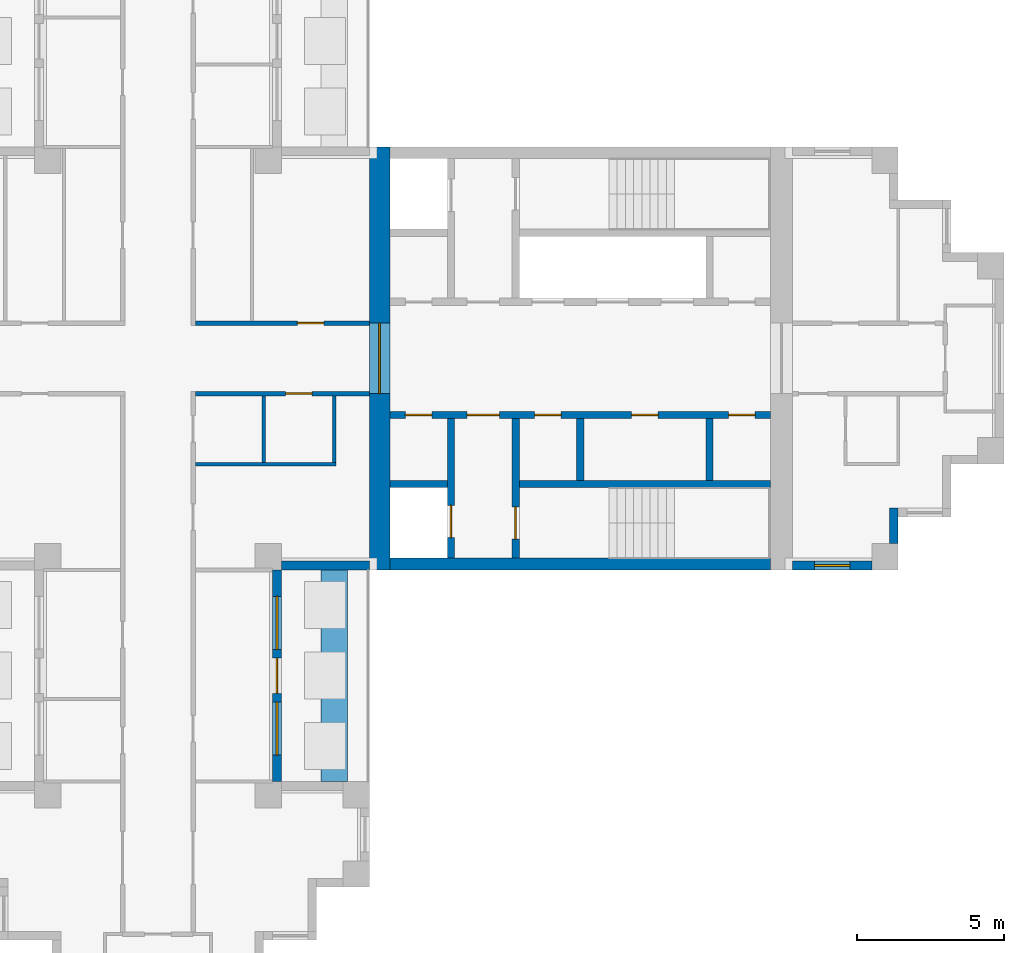
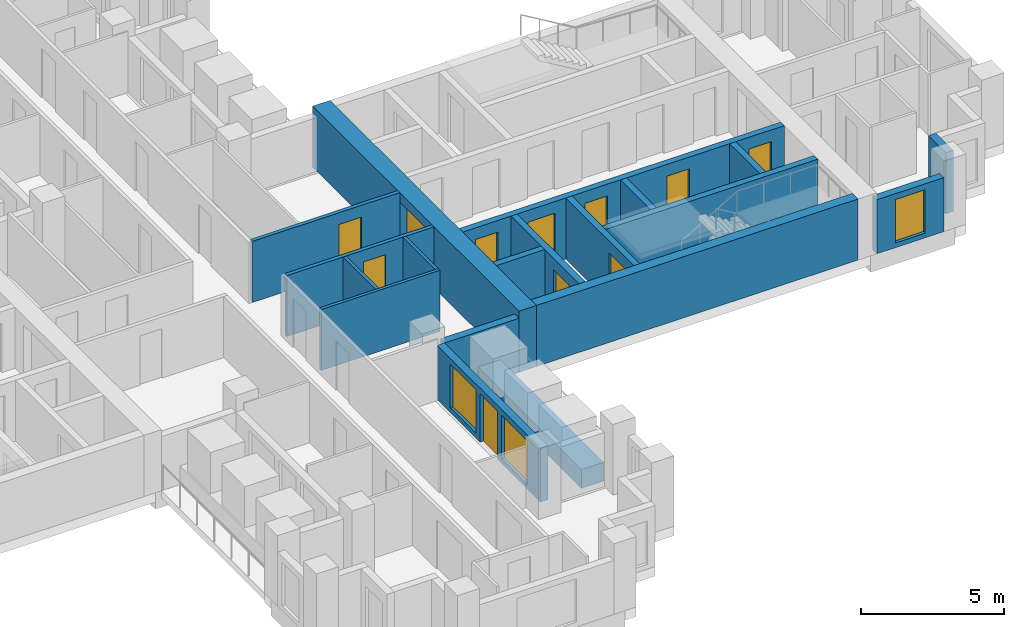
# One storey, part 5 of 10: 19 walls, 11 doors, 3 windows, 14 openings.
"""IFC4 building model written with IfcOpenShell, lengths in metres."""

import ifcopenshell
import ifcopenshell.guid

model = None  # the IFC model being written
_history = None  # IfcOwnerHistory: only IFC2X3 demands one
_inside = {}  # id of a spatial element -> (the spatial element, [elements in it])
_under = {}  # id of a project, library or spatial element -> (it, [spatial elements below it])
_declared = {}  # id of a project -> (the project, [libraries it declares])
_typed = {}  # id of a type object -> (the type object, [elements of that type])
_made_of = {}  # id of a material, layer set ... -> (it, [elements and type objects made of it])


def new_model(schema):
    """Start an empty IFC model of exactly this schema.

    Asked for "IFC4X3", IfcOpenShell would pick the latest addendum, in which some entities
    have other attributes; the version numbers below select the first issue.
    IFC2X3 requires an IfcOwnerHistory on every rooted entity: one is made here for all.
    """
    global model, _history
    if schema == "IFC4X3":
        model = ifcopenshell.file(schema_version=(4, 3, 0, 0))
    else:
        model = ifcopenshell.file(schema=schema)
    _inside.clear()
    _under.clear()
    _declared.clear()
    _typed.clear()
    _made_of.clear()
    _history = None
    if model.schema == "IFC2X3":
        org = make("IfcOrganization", Name="unknown")
        user = make(
            "IfcPersonAndOrganization",
            ThePerson=make("IfcPerson", FamilyName="unknown"),
            TheOrganization=org,
        )
        app = make(
            "IfcApplication",
            ApplicationDeveloper=org,
            Version="unknown",
            ApplicationFullName="unknown",
            ApplicationIdentifier="unknown",
        )
        _history = make(
            "IfcOwnerHistory",
            OwningUser=user,
            OwningApplication=app,
            ChangeAction="ADDED",
            CreationDate=0,
        )
    return model


def make(cls, **values):
    """One entity of the class cls with the attributes given. An attribute that is None is left unset."""
    return model.create_entity(
        cls, **{name: value for name, value in values.items() if value is not None}
    )


def rooted(cls, **values):
    """An entity with a GlobalId (a new one), such as an element, a storey or a relation."""
    return make(cls, GlobalId=ifcopenshell.guid.new(), OwnerHistory=_history, **values)


def si_unit(unit_type, name, prefix=None):
    """IfcSIUnit, for example si_unit("LENGTHUNIT", "METRE", prefix="MILLI")."""
    return make("IfcSIUnit", UnitType=unit_type, Prefix=prefix, Name=name)


def assignment(units):
    """IfcUnitAssignment: the units of a project."""
    return None if units is None else make("IfcUnitAssignment", Units=units)


def point(xyz):
    """IfcCartesianPoint."""
    return None if xyz is None else make("IfcCartesianPoint", Coordinates=xyz)


def direction(xyz):
    """IfcDirection."""
    return None if xyz is None else make("IfcDirection", DirectionRatios=xyz)


def frame(location, z_axis=None, x_axis=None):
    """IfcAxis2Placement3D, a coordinate frame: its origin and axes. An axis left out is left unset."""
    return make(
        "IfcAxis2Placement3D",
        Location=point(location),
        Axis=direction(z_axis),
        RefDirection=direction(x_axis),
    )


def frame_2d(location, x_axis=None):
    """IfcAxis2Placement2D, a coordinate frame in the plane: its origin and x axis."""
    return make(
        "IfcAxis2Placement2D", Location=point(location), RefDirection=direction(x_axis)
    )


def origin():
    """The frame at (0, 0, 0) with its axes left unset."""
    return frame((0.0, 0.0, 0.0))


def place(relative_to, where):
    """IfcLocalPlacement: puts the frame where relative to a parent placement (None: the world)."""
    return make(
        "IfcLocalPlacement", PlacementRelTo=relative_to, RelativePlacement=where
    )


def context(
    kind, dimensions, precision=None, world=None, true_north=None, identifier=None
):
    """IfcGeometricRepresentationContext, for example the 3D "Model" context."""
    return make(
        "IfcGeometricRepresentationContext",
        ContextIdentifier=identifier,
        ContextType=kind,
        CoordinateSpaceDimension=dimensions,
        Precision=precision,
        WorldCoordinateSystem=world,
        TrueNorth=true_north,
    )


def subcontext(parent, identifier, kind, view, scale=None):
    """IfcGeometricRepresentationSubContext, for example "Body" below "Model"."""
    return make(
        "IfcGeometricRepresentationSubContext",
        ContextIdentifier=identifier,
        ContextType=kind,
        ParentContext=parent,
        TargetScale=scale,
        TargetView=view,
    )


def project(units=None, contexts=None):
    """IfcProject with its units and contexts."""
    return rooted(
        "IfcProject",
        Name="project",
        RepresentationContexts=contexts,
        UnitsInContext=assignment(units),
    )


def spatial(cls, under=None, at=None, **own):
    """A site, building, storey or space (cls), placed at a placement, below another one or the project."""
    s = rooted(cls, ObjectPlacement=at, **own)
    if under is not None:
        _under.setdefault(under.id(), (under, []))[1].append(s)
    return s


def profile(cls, at=None, kind="AREA", **sizes):
    """A parametric profile (cls). Its sizes go by their IFC names, for example OverallWidth=200.0."""
    return make(cls, ProfileType=kind, Position=at, **sizes)


def rectangle(**sizes):
    """IfcRectangleProfileDef."""
    return profile("IfcRectangleProfileDef", **sizes)


def extrude(swept, where, along, depth):
    """IfcExtrudedAreaSolid: the profile swept, set in the frame where, extruded along a direction by depth."""
    return make(
        "IfcExtrudedAreaSolid",
        SweptArea=swept,
        Position=where,
        ExtrudedDirection=direction(along),
        Depth=depth,
    )


def shape(context_of_items, identifier, shape_type, items):
    """IfcShapeRepresentation: the items that make up one representation, for example the "Body"."""
    return make(
        "IfcShapeRepresentation",
        ContextOfItems=context_of_items,
        RepresentationIdentifier=identifier,
        RepresentationType=shape_type,
        Items=items,
    )


def material(Name=None, Category=None):
    """IfcMaterial."""
    return make("IfcMaterial", Name=Name, Category=Category)


def layer(
    of_material, thickness, ventilated=None, Name=None, Category=None, Priority=None
):
    """IfcMaterialLayer: one layer of a wall or slab, of a material (None: an air gap)."""
    return make(
        "IfcMaterialLayer",
        Material=of_material,
        LayerThickness=thickness,
        IsVentilated=ventilated,
        Name=Name,
        Category=Category,
        Priority=Priority,
    )


def layer_set(layers, Name=None):
    """IfcMaterialLayerSet."""
    return make("IfcMaterialLayerSet", MaterialLayers=layers, LayerSetName=Name)


def made_of(thing, what):
    """Note that an element or type object is made of a material, layer set ...; save() writes the relation."""
    if what is not None:
        _made_of.setdefault(what.id(), (what, []))[1].append(thing)
    return thing


def type_object(cls, material=None, **own):
    """A type object (cls), such as IfcWallType, which elements share."""
    return made_of(rooted(cls, **own), material)


def element(
    cls,
    number,
    at=None,
    inside=None,
    cuts=None,
    type_object=None,
    material=None,
    context=None,
    identifier="Body",
    shape_type=None,
    held_by="IfcProductDefinitionShape",
    body=None,
    shapes=None,
    **own,
):
    """One element of the class cls, such as IfcWall. Its Tag is "e" and its number.

    at: its placement. inside: the storey or other place that contains it. cuts: it is an
    opening in that element (IfcRelVoidsElement). A single representation is given by context,
    identifier, shape_type and body (its items); several are given by shapes. held_by: the class
    of the entity that holds the representations. save() writes the other relations.
    """
    e = rooted(cls, Tag="e%d" % number, ObjectPlacement=at, **own)
    if body is not None:
        shapes = [shape(context, identifier, shape_type, body)]
    if shapes is not None:
        e.Representation = make(held_by, Representations=shapes)
    if inside is not None:
        _inside.setdefault(inside.id(), (inside, []))[1].append(e)
    if cuts is not None:
        rooted(
            "IfcRelVoidsElement", RelatingBuildingElement=cuts, RelatedOpeningElement=e
        )
    if type_object is not None:
        _typed.setdefault(type_object.id(), (type_object, []))[1].append(e)
    return made_of(e, material)


def fill(opening, filler):
    """IfcRelFillsElement: the door or window that sits in an opening."""
    return rooted(
        "IfcRelFillsElement",
        RelatingOpeningElement=opening,
        RelatedBuildingElement=filler,
    )


def aggregate(whole, parts):
    """IfcRelAggregates: a whole, such as a stair, and the parts it consists of."""
    return rooted("IfcRelAggregates", RelatingObject=whole, RelatedObjects=parts)


def save(model, path):
    """Write the relations noted so far, then the file.

    IfcRelAggregates (storeys below a building ...), IfcRelContainedInSpatialStructure (elements
    in a storey), IfcRelDefinesByType, IfcRelAssociatesMaterial and IfcRelDeclares: one each for
    every whole, place, type object, material and project.
    """
    for whole, parts in _under.values():
        aggregate(whole, parts)
    for where, things in _inside.values():
        rooted(
            "IfcRelContainedInSpatialStructure",
            RelatedElements=things,
            RelatingStructure=where,
        )
    for kind, things in _typed.values():
        rooted("IfcRelDefinesByType", RelatedObjects=things, RelatingType=kind)
    for what, things in _made_of.values():
        rooted("IfcRelAssociatesMaterial", RelatedObjects=things, RelatingMaterial=what)
    for by, libraries in _declared.values():
        rooted("IfcRelDeclares", RelatingContext=by, RelatedDefinitions=libraries)
    model.write(path)


model = new_model("IFC4")

# Units and contexts
model_context = context("Model", 3, precision=1e-05, world=origin(), true_north=direction((0.0, 1.0)))
body_context = subcontext(model_context, "Body", "Model", "MODEL_VIEW")
ifc_project = project(units=[si_unit("LENGTHUNIT", "METRE"), si_unit("AREAUNIT", "SQUARE_METRE"), si_unit("VOLUMEUNIT", "CUBIC_METRE"), si_unit("PLANEANGLEUNIT", "RADIAN"), si_unit("MASSUNIT", "GRAM", prefix="KILO")], contexts=[model_context])

# Site, building, storey
site_placement = place(None, origin())
site = spatial("IfcSite", under=ifc_project, at=site_placement, CompositionType="ELEMENT")
building_placement = place(site_placement, origin())
building = spatial("IfcBuilding", under=site, at=building_placement, Name="Fustian Cross Tower", CompositionType="ELEMENT")
storey_placement = place(building_placement, frame((0.0, 0.0, 213.89990234375)))
storey = spatial("IfcBuildingStorey", under=building, at=storey_placement, Name="L67", CompositionType="ELEMENT", Elevation=213.89990234375)

# Wall, opening, door
ifc_material_1 = material(Name="Plasterboard on steel stud", Category="steel")
ifc_layer_1 = layer(ifc_material_1, 0.14990234375)
ifc_layer_set_1 = layer_set([ifc_layer_1], Name="Plasterboard on steel stud")
wall_type_1 = type_object("IfcWallType", Name="COMPARTMENT WALL 150 EI 60", PredefinedType="PARTITIONING", material=ifc_layer_set_1)
wall_1_placement = place(storey_placement, frame((1.27490234375, -1.199951171875, 0.0), z_axis=(0.0, 0.0, 1.0), x_axis=(1.0, 0.0, 0.0)))
wall_1 = element("IfcWall", 1, at=wall_1_placement, inside=storey, type_object=wall_type_1, Name="Partition 37", PredefinedType="PARTITIONING", context=body_context, shape_type="SweptSolid", body=[
    extrude(rectangle(XDim=5.925048828125, YDim=0.14990234375, at=frame_2d((2.96240234375, 0.0))), origin(), (0.0, 0.0, 1.0), 2.60009765625),
])
opening_1_placement = place(wall_1_placement, frame((3.074951171875, 0.0, 0.0)))
opening_1 = element("IfcOpeningElement", 2, at=opening_1_placement, cuts=wall_1, Name="Opening D30007", PredefinedType="OPENING", context=body_context, shape_type="SweptSolid", body=[
    extrude(rectangle(XDim=0.89990234375, YDim=2.10009765625, at=frame_2d((0.449951171875, 1.050048828125))), frame((0.0, 0.0849609375, 0.0), z_axis=(0.0, -1.0, 0.0), x_axis=(1.0, 0.0, 0.0)), (0.0, 0.0, 1.0), 0.169921875),
])
ifc_material_2 = material(Name="Timber fire door set", Category="wood")
door_type_1 = type_object("IfcDoorType", Name="FIRE SWING DOOR 900 FD30S", OperationType="SINGLE_SWING_LEFT", PredefinedType="DOOR", material=ifc_material_2)
door_1_placement = place(opening_1_placement, frame((0.89990234375, 0.0, 0.0), z_axis=(0.0, 0.0, 1.0), x_axis=(-1.0, 0.0, 0.0)))
door_1 = element("IfcDoor", 3, at=door_1_placement, inside=storey, type_object=door_type_1, Name="Door D30007", OperationType="SINGLE_SWING_RIGHT", OverallHeight=2.10009765625, OverallWidth=0.89990234375, PredefinedType="DOOR", context=body_context, shape_type="SweptSolid", body=[
    extrude(rectangle(XDim=0.89990234375, YDim=2.10009765625, at=frame_2d((0.449951171875, 1.050048828125))), frame((0.0, 0.02490234375, 0.0), z_axis=(0.0, -1.0, 0.0), x_axis=(1.0, 0.0, 0.0)), (0.0, 0.0, 1.0), 0.050048828125),
])
fill(opening_1, door_1)

wall_2_placement = place(storey_placement, frame((1.27490234375, 1.199951171875, 0.0), z_axis=(0.0, 0.0, 1.0), x_axis=(1.0, 0.0, 0.0)))
wall_2 = element("IfcWall", 4, at=wall_2_placement, inside=storey, type_object=wall_type_1, Name="Partition 39", PredefinedType="PARTITIONING", context=body_context, shape_type="SweptSolid", body=[
    extrude(rectangle(XDim=5.925048828125, YDim=0.14990234375, at=frame_2d((2.96240234375, 0.0))), origin(), (0.0, 0.0, 1.0), 2.60009765625),
])
opening_2_placement = place(wall_2_placement, frame((3.47509765625, 0.0, 0.0)))
opening_2 = element("IfcOpeningElement", 5, at=opening_2_placement, cuts=wall_2, Name="Opening D30002", PredefinedType="OPENING", context=body_context, shape_type="SweptSolid", body=[
    extrude(rectangle(XDim=0.89990234375, YDim=2.10009765625, at=frame_2d((0.449951171875, 1.050048828125))), frame((0.0, 0.0849609375, 0.0), z_axis=(0.0, -1.0, 0.0), x_axis=(1.0, 0.0, 0.0)), (0.0, 0.0, 1.0), 0.169921875),
])
door_2_placement = place(opening_2_placement, origin())
door_2 = element("IfcDoor", 6, at=door_2_placement, inside=storey, type_object=door_type_1, Name="Door D30002", OperationType="SINGLE_SWING_LEFT", OverallHeight=2.10009765625, OverallWidth=0.89990234375, PredefinedType="DOOR", context=body_context, shape_type="SweptSolid", body=[
    extrude(rectangle(XDim=0.89990234375, YDim=2.10009765625, at=frame_2d((0.449951171875, 1.050048828125))), frame((0.0, 0.02490234375, 0.0), z_axis=(0.0, -1.0, 0.0), x_axis=(1.0, 0.0, 0.0)), (0.0, 0.0, 1.0), 0.050048828125),
])
fill(opening_2, door_2)

ifc_material_3 = material(Name="Concrete C50/60", Category="concrete")
ifc_layer_2 = layer(ifc_material_3, 0.699951171875)
ifc_layer_set_2 = layer_set([ifc_layer_2], Name="Concrete C50/60")
wall_type_2 = type_object("IfcWallType", Name="CORE END WALL 700 C50/60", PredefinedType="SHEAR", material=ifc_layer_set_2)
wall_3_placement = place(storey_placement, frame((7.550048828125, -7.199951171875, 0.0), z_axis=(0.0, 0.0, 1.0), x_axis=(0.0, 1.0, 0.0)))
wall_3 = element("IfcWall", 7, at=wall_3_placement, inside=storey, type_object=wall_type_2, Name="Core end wall", PredefinedType="SHEAR", context=body_context, shape_type="SweptSolid", body=[
    extrude(rectangle(XDim=14.39990234375, YDim=0.699951171875, at=frame_2d((7.199951171875, 0.0))), origin(), (0.0, 0.0, 1.0), 2.60009765625),
])
opening_3_placement = place(wall_3_placement, frame((6.0, 0.0, 0.0)))
opening_3 = element("IfcOpeningElement", 8, at=opening_3_placement, cuts=wall_3, Name="Opening CD-28-12", PredefinedType="OPENING", context=body_context, shape_type="SweptSolid", body=[
    extrude(rectangle(XDim=2.39990234375, YDim=2.199951171875, at=frame_2d((1.199951171875, 1.10009765625))), frame((0.0, 0.35986328125, 0.0), z_axis=(0.0, -1.0, 0.0), x_axis=(1.0, 0.0, 0.0)), (0.0, 0.0, 1.0), 0.719970703125),
])
ifc_material_4 = material(Name="Steel", Category="steel")
door_type_2 = type_object("IfcDoorType", Name="FIRE DOOR FD30S DOUBLE 2400X2200", OperationType="DOUBLE_DOOR_DOUBLE_SWING", PredefinedType="DOOR", material=ifc_material_4)
door_3_placement = place(opening_3_placement, frame((2.39990234375, 0.0, 0.0), z_axis=(0.0, 0.0, 1.0), x_axis=(-1.0, 0.0, 0.0)))
door_3 = element("IfcDoor", 9, at=door_3_placement, inside=storey, type_object=door_type_2, Name="Core door CD-28-12", OperationType="DOUBLE_DOOR_DOUBLE_SWING", OverallHeight=2.199951171875, OverallWidth=2.39990234375, PredefinedType="DOOR", context=body_context, shape_type="SweptSolid", body=[
    extrude(rectangle(XDim=2.39990234375, YDim=2.199951171875, at=frame_2d((1.199951171875, 1.10009765625))), frame((0.0, 0.02490234375, 0.0), z_axis=(0.0, -1.0, 0.0), x_axis=(1.0, 0.0, 0.0)), (0.0, 0.0, 1.0), 0.050048828125),
])
fill(opening_3, door_3)

# Wall
ifc_material_5 = material(Name="Concrete C50/60", Category="concrete")
ifc_layer_3 = layer(ifc_material_5, 0.39990234375)
ifc_layer_set_3 = layer_set([ifc_layer_3], Name="Concrete C50/60")
wall_type_3 = type_object("IfcWallType", Name="CORE FACADE WALL 400 C50/60", PredefinedType="SHEAR", material=ifc_layer_set_3)
wall_4_placement = place(storey_placement, frame((7.89990234375, -7.0, 0.0), z_axis=(0.0, 0.0, 1.0), x_axis=(1.0, 0.0, 0.0)))
element("IfcWall", 10, at=wall_4_placement, inside=storey, type_object=wall_type_3, Name="Core facade wall", PredefinedType="SHEAR", context=body_context, shape_type="SweptSolid", body=[
    extrude(rectangle(XDim=12.9501953125, YDim=0.39990234375, at=frame_2d((6.47509765625, 0.0))), origin(), (0.0, 0.0, 1.0), 2.60009765625),
])

# Wall, openings, doors
ifc_material_6 = material(Name="Concrete C50/60", Category="concrete")
ifc_layer_4 = layer(ifc_material_6, 0.25)
ifc_layer_set_4 = layer_set([ifc_layer_4], Name="Concrete C50/60")
wall_type_4 = type_object("IfcWallType", Name="CORE LOBBY WALL 250 C50/60", PredefinedType="SHEAR", material=ifc_layer_set_4)
wall_5_placement = place(storey_placement, frame((7.89990234375, -1.925048828125, 0.0), z_axis=(0.0, 0.0, 1.0), x_axis=(1.0, 0.0, 0.0)))
wall_5 = element("IfcWall", 11, at=wall_5_placement, inside=storey, type_object=wall_type_4, Name="Core lobby wall", PredefinedType="SHEAR", context=body_context, shape_type="SweptSolid", body=[
    extrude(rectangle(XDim=12.9501953125, YDim=0.25, at=frame_2d((6.47509765625, 0.0))), origin(), (0.0, 0.0, 1.0), 2.60009765625),
])
opening_4_placement = place(wall_5_placement, frame((0.52490234375, 0.0, 0.0)))
opening_4 = element("IfcOpeningElement", 12, at=opening_4_placement, cuts=wall_5, Name="Opening CD-28-09", PredefinedType="OPENING", context=body_context, shape_type="SweptSolid", body=[
    extrude(rectangle(XDim=0.89990234375, YDim=2.10009765625, at=frame_2d((0.449951171875, 1.050048828125))), frame((0.0, 0.135009765625, 0.0), z_axis=(0.0, -1.0, 0.0), x_axis=(1.0, 0.0, 0.0)), (0.0, 0.0, 1.0), 0.27001953125),
])
opening_5_placement = place(wall_5_placement, frame((2.625, 0.0, 0.0)))
opening_5 = element("IfcOpeningElement", 13, at=opening_5_placement, cuts=wall_5, Name="Opening CD-28-11", PredefinedType="OPENING", context=body_context, shape_type="SweptSolid", body=[
    extrude(rectangle(XDim=1.10009765625, YDim=2.10009765625, at=frame_2d((0.550048828125, 1.050048828125))), frame((0.0, 0.135009765625, 0.0), z_axis=(0.0, -1.0, 0.0), x_axis=(1.0, 0.0, 0.0)), (0.0, 0.0, 1.0), 0.27001953125),
])
opening_6_placement = place(wall_5_placement, frame((4.925048828125, 0.0, 0.0)))
opening_6 = element("IfcOpeningElement", 14, at=opening_6_placement, cuts=wall_5, Name="Opening CD-28-15", PredefinedType="OPENING", context=body_context, shape_type="SweptSolid", body=[
    extrude(rectangle(XDim=0.89990234375, YDim=2.10009765625, at=frame_2d((0.449951171875, 1.050048828125))), frame((0.0, 0.135009765625, 0.0), z_axis=(0.0, -1.0, 0.0), x_axis=(1.0, 0.0, 0.0)), (0.0, 0.0, 1.0), 0.27001953125),
])
opening_7_placement = place(wall_5_placement, frame((8.22509765625, 0.0, 0.0)))
opening_7 = element("IfcOpeningElement", 15, at=opening_7_placement, cuts=wall_5, Name="Opening CD-28-16", PredefinedType="OPENING", context=body_context, shape_type="SweptSolid", body=[
    extrude(rectangle(XDim=0.89990234375, YDim=2.10009765625, at=frame_2d((0.449951171875, 1.050048828125))), frame((0.0, 0.135009765625, 0.0), z_axis=(0.0, -1.0, 0.0), x_axis=(1.0, 0.0, 0.0)), (0.0, 0.0, 1.0), 0.27001953125),
])
opening_8_placement = place(wall_5_placement, frame((11.52490234375, 0.0, 0.0)))
opening_8 = element("IfcOpeningElement", 16, at=opening_8_placement, cuts=wall_5, Name="Opening CD-28-17", PredefinedType="OPENING", context=body_context, shape_type="SweptSolid", body=[
    extrude(rectangle(XDim=0.89990234375, YDim=2.10009765625, at=frame_2d((0.449951171875, 1.050048828125))), frame((0.0, 0.135009765625, 0.0), z_axis=(0.0, -1.0, 0.0), x_axis=(1.0, 0.0, 0.0)), (0.0, 0.0, 1.0), 0.27001953125),
])
ifc_material_7 = material(Name="Steel", Category="steel")
door_type_3 = type_object("IfcDoorType", Name="FIRE DOOR FD30S 1100X2100", OperationType="SINGLE_SWING_LEFT", PredefinedType="DOOR", material=ifc_material_7)
door_4_placement = place(opening_5_placement, frame((1.10009765625, 0.0, 0.0), z_axis=(0.0, 0.0, 1.0), x_axis=(-1.0, 0.0, 0.0)))
door_4 = element("IfcDoor", 17, at=door_4_placement, inside=storey, type_object=door_type_3, Name="Core door CD-28-11", OperationType="SINGLE_SWING_RIGHT", OverallHeight=2.10009765625, OverallWidth=1.10009765625, PredefinedType="DOOR", context=body_context, shape_type="SweptSolid", body=[
    extrude(rectangle(XDim=1.10009765625, YDim=2.10009765625, at=frame_2d((0.550048828125, 1.050048828125))), frame((0.0, 0.02490234375, 0.0), z_axis=(0.0, -1.0, 0.0), x_axis=(1.0, 0.0, 0.0)), (0.0, 0.0, 1.0), 0.050048828125),
])
fill(opening_5, door_4)
ifc_material_8 = material(Name="Steel", Category="steel")
door_type_4 = type_object("IfcDoorType", Name="FIRE DOOR FD30S 900X2100", OperationType="SINGLE_SWING_LEFT", PredefinedType="DOOR", material=ifc_material_8)
door_5_placement = place(opening_4_placement, frame((0.89990234375, 0.0, 0.0), z_axis=(0.0, 0.0, 1.0), x_axis=(-1.0, 0.0, 0.0)))
door_5 = element("IfcDoor", 18, at=door_5_placement, inside=storey, type_object=door_type_4, Name="Core door CD-28-09", OperationType="SINGLE_SWING_RIGHT", OverallHeight=2.10009765625, OverallWidth=0.89990234375, PredefinedType="DOOR", context=body_context, shape_type="SweptSolid", body=[
    extrude(rectangle(XDim=0.89990234375, YDim=2.10009765625, at=frame_2d((0.449951171875, 1.050048828125))), frame((0.0, 0.02490234375, 0.0), z_axis=(0.0, -1.0, 0.0), x_axis=(1.0, 0.0, 0.0)), (0.0, 0.0, 1.0), 0.050048828125),
])
fill(opening_4, door_5)
door_6_placement = place(opening_6_placement, frame((0.89990234375, 0.0, 0.0), z_axis=(0.0, 0.0, 1.0), x_axis=(-1.0, 0.0, 0.0)))
door_6 = element("IfcDoor", 19, at=door_6_placement, inside=storey, type_object=door_type_4, Name="Core door CD-28-15", OperationType="SINGLE_SWING_RIGHT", OverallHeight=2.10009765625, OverallWidth=0.89990234375, PredefinedType="DOOR", context=body_context, shape_type="SweptSolid", body=[
    extrude(rectangle(XDim=0.89990234375, YDim=2.10009765625, at=frame_2d((0.449951171875, 1.050048828125))), frame((0.0, 0.02490234375, 0.0), z_axis=(0.0, -1.0, 0.0), x_axis=(1.0, 0.0, 0.0)), (0.0, 0.0, 1.0), 0.050048828125),
])
fill(opening_6, door_6)
door_7_placement = place(opening_7_placement, frame((0.89990234375, 0.0, 0.0), z_axis=(0.0, 0.0, 1.0), x_axis=(-1.0, 0.0, 0.0)))
door_7 = element("IfcDoor", 20, at=door_7_placement, inside=storey, type_object=door_type_4, Name="Core door CD-28-16", OperationType="SINGLE_SWING_LEFT", OverallHeight=2.10009765625, OverallWidth=0.89990234375, PredefinedType="DOOR", context=body_context, shape_type="SweptSolid", body=[
    extrude(rectangle(XDim=0.89990234375, YDim=2.10009765625, at=frame_2d((0.449951171875, 1.050048828125))), frame((0.0, 0.02490234375, 0.0), z_axis=(0.0, -1.0, 0.0), x_axis=(1.0, 0.0, 0.0)), (0.0, 0.0, 1.0), 0.050048828125),
])
fill(opening_7, door_7)
door_8_placement = place(opening_8_placement, frame((0.89990234375, 0.0, 0.0), z_axis=(0.0, 0.0, 1.0), x_axis=(-1.0, 0.0, 0.0)))
door_8 = element("IfcDoor", 21, at=door_8_placement, inside=storey, type_object=door_type_4, Name="Core door CD-28-17", OperationType="SINGLE_SWING_RIGHT", OverallHeight=2.10009765625, OverallWidth=0.89990234375, PredefinedType="DOOR", context=body_context, shape_type="SweptSolid", body=[
    extrude(rectangle(XDim=0.89990234375, YDim=2.10009765625, at=frame_2d((0.449951171875, 1.050048828125))), frame((0.0, 0.02490234375, 0.0), z_axis=(0.0, -1.0, 0.0), x_axis=(1.0, 0.0, 0.0)), (0.0, 0.0, 1.0), 0.050048828125),
])
fill(opening_8, door_8)

# Walls
ifc_material_9 = material(Name="Concrete C50/60", Category="concrete")
ifc_layer_5 = layer(ifc_material_9, 0.25)
ifc_layer_set_5 = layer_set([ifc_layer_5], Name="Concrete C50/60")
wall_type_5 = type_object("IfcWallType", Name="CORE SHAFT WALL 250 C50/60", PredefinedType="SHEAR", material=ifc_layer_set_5)
wall_6_placement = place(storey_placement, frame((7.89990234375, -4.27490234375, 0.0), z_axis=(0.0, 0.0, 1.0), x_axis=(1.0, 0.0, 0.0)))
element("IfcWall", 22, at=wall_6_placement, inside=storey, type_object=wall_type_5, Name="Core shaft wall", PredefinedType="SHEAR", context=body_context, shape_type="SweptSolid", body=[
    extrude(rectangle(XDim=1.9501953125, YDim=0.25, at=frame_2d((0.97509765625, 0.0))), origin(), (0.0, 0.0, 1.0), 2.60009765625),
])
wall_7_placement = place(storey_placement, frame((12.300048828125, -4.27490234375, 0.0), z_axis=(0.0, 0.0, 1.0), x_axis=(1.0, 0.0, 0.0)))
element("IfcWall", 23, at=wall_7_placement, inside=storey, type_object=wall_type_5, Name="Core shaft wall", PredefinedType="SHEAR", context=body_context, shape_type="SweptSolid", body=[
    extrude(rectangle(XDim=8.550048828125, YDim=0.25, at=frame_2d((4.27490234375, 0.0))), origin(), (0.0, 0.0, 1.0), 2.60009765625),
])

# Wall, opening, door
wall_8_placement = place(storey_placement, frame((9.97509765625, -2.050048828125, 0.0), z_axis=(0.0, 0.0, 1.0), x_axis=(0.0, -1.0, 0.0)))
wall_8 = element("IfcWall", 24, at=wall_8_placement, inside=storey, type_object=wall_type_5, Name="Core shaft wall", PredefinedType="SHEAR", context=body_context, shape_type="SweptSolid", body=[
    extrude(rectangle(XDim=4.75, YDim=0.25, at=frame_2d((2.375, 0.0))), origin(), (0.0, 0.0, 1.0), 2.60009765625),
])
opening_9_placement = place(wall_8_placement, frame((2.949951171875, 0.0, 0.0)))
opening_9 = element("IfcOpeningElement", 25, at=opening_9_placement, cuts=wall_8, Name="Opening LD", PredefinedType="OPENING", context=body_context, shape_type="SweptSolid", body=[
    extrude(rectangle(XDim=1.10009765625, YDim=2.10009765625, at=frame_2d((0.550048828125, 1.050048828125))), frame((0.0, 0.135009765625, 0.0), z_axis=(0.0, -1.0, 0.0), x_axis=(1.0, 0.0, 0.0)), (0.0, 0.0, 1.0), 0.27001953125),
])
ifc_material_10 = material(Name="Stainless steel", Category="steel")
door_type_5 = type_object("IfcDoorType", Name="LIFT LANDING DOOR 1100X2100", OperationType="SLIDING_TO_LEFT", PredefinedType="DOOR", material=ifc_material_10)
door_9_placement = place(opening_9_placement, origin())
door_9 = element("IfcDoor", 26, at=door_9_placement, inside=storey, type_object=door_type_5, Name="Landing door SV1", OperationType="SLIDING_TO_LEFT", OverallHeight=2.10009765625, OverallWidth=1.10009765625, PredefinedType="DOOR", context=body_context, shape_type="SweptSolid", body=[
    extrude(rectangle(XDim=1.10009765625, YDim=2.10009765625, at=frame_2d((0.550048828125, 1.050048828125))), frame((0.0, 0.02490234375, 0.0), z_axis=(0.0, -1.0, 0.0), x_axis=(1.0, 0.0, 0.0)), (0.0, 0.0, 1.0), 0.050048828125),
])
fill(opening_9, door_9)

wall_9_placement = place(storey_placement, frame((12.175048828125, -2.050048828125, 0.0), z_axis=(0.0, 0.0, 1.0), x_axis=(0.0, -1.0, 0.0)))
wall_9 = element("IfcWall", 27, at=wall_9_placement, inside=storey, type_object=wall_type_5, Name="Core shaft wall", PredefinedType="SHEAR", context=body_context, shape_type="SweptSolid", body=[
    extrude(rectangle(XDim=4.75, YDim=0.25, at=frame_2d((2.375, 0.0))), origin(), (0.0, 0.0, 1.0), 2.60009765625),
])
opening_10_placement = place(wall_9_placement, frame((3.0, 0.0, 0.0)))
opening_10 = element("IfcOpeningElement", 28, at=opening_10_placement, cuts=wall_9, Name="Opening CD-28-07", PredefinedType="OPENING", context=body_context, shape_type="SweptSolid", body=[
    extrude(rectangle(XDim=1.10009765625, YDim=2.10009765625, at=frame_2d((0.550048828125, 1.050048828125))), frame((0.0, 0.135009765625, 0.0), z_axis=(0.0, -1.0, 0.0), x_axis=(1.0, 0.0, 0.0)), (0.0, 0.0, 1.0), 0.27001953125),
])
ifc_material_11 = material(Name="Steel", Category="steel")
door_type_6 = type_object("IfcDoorType", Name="FIRE DOOR FD60S 1100X2100", OperationType="SINGLE_SWING_LEFT", PredefinedType="DOOR", material=ifc_material_11)
door_10_placement = place(opening_10_placement, origin())
door_10 = element("IfcDoor", 29, at=door_10_placement, inside=storey, type_object=door_type_6, Name="Core door CD-28-07", OperationType="SINGLE_SWING_LEFT", OverallHeight=2.10009765625, OverallWidth=1.10009765625, PredefinedType="DOOR", context=body_context, shape_type="SweptSolid", body=[
    extrude(rectangle(XDim=1.10009765625, YDim=2.10009765625, at=frame_2d((0.550048828125, 1.050048828125))), frame((0.0, 0.02490234375, 0.0), z_axis=(0.0, -1.0, 0.0), x_axis=(1.0, 0.0, 0.0)), (0.0, 0.0, 1.0), 0.050048828125),
])
fill(opening_10, door_10)

# Walls
ifc_material_12 = material(Name="Concrete C40/50", Category="concrete")
ifc_layer_6 = layer(ifc_material_12, 0.89990234375)
ifc_layer_set_6 = layer_set([ifc_layer_6], Name="Concrete C40/50")
wall_type_6 = type_object("IfcWallType", Name="PK1 PLANTER 900", PredefinedType="PARAPET", material=ifc_layer_set_6)
wall_10_placement = place(storey_placement, frame((6.0, -14.39990234375, 0.0), z_axis=(0.0, 0.0, 1.0), x_axis=(0.0, 1.0, 0.0)))
element("IfcWall", 30, at=wall_10_placement, inside=storey, type_object=wall_type_6, Name="PLANTER", PredefinedType="PARAPET", context=body_context, shape_type="SweptSolid", body=[
    extrude(rectangle(XDim=7.199951171875, YDim=0.89990234375, at=frame_2d((3.60009765625, 0.0))), origin(), (0.0, 0.0, 1.0), 0.800048828125),
])
ifc_material_13 = material(Name="Concrete C40/50", Category="concrete")
ifc_layer_7 = layer(ifc_material_13, 0.25)
ifc_layer_set_7 = layer_set([ifc_layer_7], Name="Concrete C40/50")
wall_type_7 = type_object("IfcWallType", Name="SHAFT PARTITION WALL 250 C40/50", PredefinedType="PARTITIONING", material=ifc_layer_set_7)
for number, where, z_axis, x_axis, name in (
    (31, (14.375, -2.050048828125, 0.0), (0.0, 0.0, 1.0), (0.0, -1.0, 0.0), "Core shaft wall"),
    (32, (18.77490234375, -2.050048828125, 0.0), (0.0, 0.0, 1.0), (0.0, -1.0, 0.0), "Core shaft wall"),
):
    element("IfcWall", number, at=place(storey_placement, frame(where, z_axis=z_axis, x_axis=x_axis)), inside=storey, type_object=wall_type_7, Name=name, PredefinedType="PARTITIONING", context=body_context, shape_type="SweptSolid", body=[
        extrude(rectangle(XDim=2.099853515625, YDim=0.25, at=frame_2d((1.0498046875, 0.0))), origin(), (0.0, 0.0, 1.0), 2.60009765625),
    ])
ifc_material_14 = material(Name="Plasterboard on steel stud", Category="steel")
ifc_layer_8 = layer(ifc_material_14, 0.125)
ifc_layer_set_8 = layer_set([ifc_layer_8], Name="Plasterboard on steel stud")
wall_type_8 = type_object("IfcWallType", Name="WET WALL 125 STUD", PredefinedType="PARTITIONING", material=ifc_layer_set_8)
wall_11_placement = place(storey_placement, frame((1.27490234375, -3.60009765625, 0.0), z_axis=(0.0, 0.0, 1.0), x_axis=(1.0, 0.0, 0.0)))
element("IfcWall", 33, at=wall_11_placement, inside=storey, type_object=wall_type_8, Name="Partition 36", PredefinedType="PARTITIONING", context=body_context, shape_type="SweptSolid", body=[
    extrude(rectangle(XDim=4.78759765625, YDim=0.125, at=frame_2d((2.393798828125, 0.0))), origin(), (0.0, 0.0, 1.0), 2.60009765625),
])
for number, where, z_axis, x_axis, name in (
    (34, (3.60009765625, -3.53759765625, 0.0), (0.0, 0.0, 1.0), (0.0, 1.0, 0.0), "Partition 49"),
    (35, (6.0, -3.53759765625, 0.0), (0.0, 0.0, 1.0), (0.0, 1.0, 0.0), "Partition 51"),
):
    element("IfcWall", number, at=place(storey_placement, frame(where, z_axis=z_axis, x_axis=x_axis)), inside=storey, type_object=wall_type_8, Name=name, PredefinedType="PARTITIONING", context=body_context, shape_type="SweptSolid", body=[
        extrude(rectangle(XDim=2.2626953125, YDim=0.125, at=frame_2d((1.13134765625, 0.0))), origin(), (0.0, 0.0, 1.0), 2.60009765625),
    ])

# Wall, opening, window
ifc_material_15 = material(Name="Dark aluminium cladding on insulated backing wall", Category="aluminium")
ifc_layer_9 = layer(ifc_material_15, 0.300048828125)
ifc_layer_set_9 = layer_set([ifc_layer_9], Name="Dark aluminium cladding on insulated backing wall")
wall_type_9 = type_object("IfcWallType", Name="XW1 EXTERNAL WALL 300", PredefinedType="SOLIDWALL", material=ifc_layer_set_9)
wall_12_placement = place(storey_placement, frame((21.60009765625, -7.050048828125, 0.0), z_axis=(0.0, 0.0, 1.0), x_axis=(1.0, 0.0, 0.0)))
wall_12 = element("IfcWall", 36, at=wall_12_placement, inside=storey, type_object=wall_type_9, Name="External wall", PredefinedType="SOLIDWALL", context=body_context, shape_type="SweptSolid", body=[
    extrude(rectangle(XDim=2.699951171875, YDim=0.300048828125, at=frame_2d((1.35009765625, 0.0))), origin(), (0.0, 0.0, 1.0), 2.300048828125),
])
opening_11_placement = place(wall_12_placement, frame((0.75, 0.0, 0.199951171875)))
opening_11 = element("IfcOpeningElement", 37, at=opening_11_placement, cuts=wall_12, Name="Opening WN3", PredefinedType="OPENING", context=body_context, shape_type="SweptSolid", body=[
    extrude(rectangle(XDim=1.199951171875, YDim=1.85009765625, at=frame_2d((0.60009765625, 0.925048828125))), frame((0.0, 0.159912109375, 0.0), z_axis=(0.0, -1.0, 0.0), x_axis=(1.0, 0.0, 0.0)), (0.0, 0.0, 1.0), 0.320068359375),
])
ifc_material_16 = material(Name="Dark anodised aluminium and double glazing", Category="aluminium")
window_type_1 = type_object("IfcWindowType", Name="WN3 WINDOW 1200X1850", PartitioningType="SINGLE_PANEL", PredefinedType="WINDOW", material=ifc_material_16)
window_1_placement = place(opening_11_placement, origin())
window_1 = element("IfcWindow", 38, at=window_1_placement, inside=storey, type_object=window_type_1, Name="Window", OverallHeight=1.85009765625, OverallWidth=1.199951171875, PartitioningType="SINGLE_PANEL", PredefinedType="WINDOW", context=body_context, shape_type="SweptSolid", body=[
    extrude(rectangle(XDim=1.199951171875, YDim=1.85009765625, at=frame_2d((0.60009765625, 0.925048828125))), frame((0.0, 0.030029296875, 0.0), z_axis=(0.0, -1.0, 0.0), x_axis=(1.0, 0.0, 0.0)), (0.0, 0.0, 1.0), 0.06005859375),
])
fill(opening_11, window_1)

# Wall
wall_13_placement = place(storey_placement, frame((25.050048828125, -6.300048828125, 0.0), z_axis=(0.0, 0.0, 1.0), x_axis=(0.0, 1.0, 0.0)))
element("IfcWall", 39, at=wall_13_placement, inside=storey, type_object=wall_type_9, Name="External wall", PredefinedType="SOLIDWALL", context=body_context, shape_type="SweptSolid", body=[
    extrude(rectangle(XDim=1.199951171875, YDim=0.300048828125, at=frame_2d((0.60009765625, 0.0))), origin(), (0.0, 0.0, 1.0), 2.60009765625),
])

# Wall, openings, door, windows
wall_14_placement = place(storey_placement, frame((4.050048828125, -14.39990234375, 0.0), z_axis=(0.0, 0.0, 1.0), x_axis=(0.0, 1.0, 0.0)))
wall_14 = element("IfcWall", 40, at=wall_14_placement, inside=storey, type_object=wall_type_9, Name="External wall", PredefinedType="SOLIDWALL", context=body_context, shape_type="SweptSolid", body=[
    extrude(rectangle(XDim=7.199951171875, YDim=0.300048828125, at=frame_2d((3.60009765625, 0.0))), origin(), (0.0, 0.0, 1.0), 2.300048828125),
])
opening_12_placement = place(wall_14_placement, frame((3.0, 0.0, 0.0)))
opening_12 = element("IfcOpeningElement", 41, at=opening_12_placement, cuts=wall_14, Name="Opening XD3", PredefinedType="OPENING", context=body_context, shape_type="SweptSolid", body=[
    extrude(rectangle(XDim=1.199951171875, YDim=2.050048828125, at=frame_2d((0.60009765625, 1.02490234375))), frame((0.0, 0.159912109375, 0.0), z_axis=(0.0, -1.0, 0.0), x_axis=(1.0, 0.0, 0.0)), (0.0, 0.0, 1.0), 0.320068359375),
])
opening_13_placement = place(wall_14_placement, frame((0.89990234375, 0.0, 0.199951171875)))
opening_13 = element("IfcOpeningElement", 42, at=opening_13_placement, cuts=wall_14, Name="Opening WN2", PredefinedType="OPENING", context=body_context, shape_type="SweptSolid", body=[
    extrude(rectangle(XDim=1.800048828125, YDim=1.85009765625, at=frame_2d((0.89990234375, 0.925048828125))), frame((0.0, 0.159912109375, 0.0), z_axis=(0.0, -1.0, 0.0), x_axis=(1.0, 0.0, 0.0)), (0.0, 0.0, 1.0), 0.320068359375),
])
opening_14_placement = place(wall_14_placement, frame((4.5, 0.0, 0.199951171875)))
opening_14 = element("IfcOpeningElement", 43, at=opening_14_placement, cuts=wall_14, Name="Opening WN2", PredefinedType="OPENING", context=body_context, shape_type="SweptSolid", body=[
    extrude(rectangle(XDim=1.800048828125, YDim=1.85009765625, at=frame_2d((0.89990234375, 0.925048828125))), frame((0.0, 0.159912109375, 0.0), z_axis=(0.0, -1.0, 0.0), x_axis=(1.0, 0.0, 0.0)), (0.0, 0.0, 1.0), 0.320068359375),
])
ifc_material_17 = material(Name="Dark anodised aluminium and double glazing", Category="aluminium")
door_type_7 = type_object("IfcDoorType", Name="ED1 BALCONY DOOR 1200X2050", OperationType="SINGLE_SWING_LEFT", PredefinedType="DOOR", material=ifc_material_17)
door_11_placement = place(opening_12_placement, origin())
door_11 = element("IfcDoor", 44, at=door_11_placement, inside=storey, type_object=door_type_7, Name="Balcony door", OperationType="SINGLE_SWING_LEFT", OverallHeight=2.050048828125, OverallWidth=1.199951171875, PredefinedType="DOOR", context=body_context, shape_type="SweptSolid", body=[
    extrude(rectangle(XDim=1.199951171875, YDim=2.050048828125, at=frame_2d((0.60009765625, 1.02490234375))), frame((0.0, 0.02490234375, 0.0), z_axis=(0.0, -1.0, 0.0), x_axis=(1.0, 0.0, 0.0)), (0.0, 0.0, 1.0), 0.050048828125),
])
fill(opening_12, door_11)
ifc_material_18 = material(Name="Dark anodised aluminium and double glazing", Category="aluminium")
window_type_2 = type_object("IfcWindowType", Name="WN2 WINDOW 1800X1850", PartitioningType="SINGLE_PANEL", PredefinedType="WINDOW", material=ifc_material_18)
window_2_placement = place(opening_13_placement, origin())
window_2 = element("IfcWindow", 45, at=window_2_placement, inside=storey, type_object=window_type_2, Name="Window", OverallHeight=1.85009765625, OverallWidth=1.800048828125, PartitioningType="SINGLE_PANEL", PredefinedType="WINDOW", context=body_context, shape_type="SweptSolid", body=[
    extrude(rectangle(XDim=1.800048828125, YDim=1.85009765625, at=frame_2d((0.89990234375, 0.925048828125))), frame((0.0, 0.030029296875, 0.0), z_axis=(0.0, -1.0, 0.0), x_axis=(1.0, 0.0, 0.0)), (0.0, 0.0, 1.0), 0.06005859375),
])
fill(opening_13, window_2)
window_3_placement = place(opening_14_placement, origin())
window_3 = element("IfcWindow", 46, at=window_3_placement, inside=storey, type_object=window_type_2, Name="Window", OverallHeight=1.85009765625, OverallWidth=1.800048828125, PartitioningType="SINGLE_PANEL", PredefinedType="WINDOW", context=body_context, shape_type="SweptSolid", body=[
    extrude(rectangle(XDim=1.800048828125, YDim=1.85009765625, at=frame_2d((0.89990234375, 0.925048828125))), frame((0.0, 0.030029296875, 0.0), z_axis=(0.0, -1.0, 0.0), x_axis=(1.0, 0.0, 0.0)), (0.0, 0.0, 1.0), 0.06005859375),
])
fill(opening_14, window_3)

# Wall
wall_15_placement = place(storey_placement, frame((4.199951171875, -7.050048828125, 0.0), z_axis=(0.0, 0.0, 1.0), x_axis=(1.0, 0.0, 0.0)))
element("IfcWall", 47, at=wall_15_placement, inside=storey, type_object=wall_type_9, Name="External wall", PredefinedType="SOLIDWALL", context=body_context, shape_type="SweptSolid", body=[
    extrude(rectangle(XDim=3.0, YDim=0.300048828125, at=frame_2d((1.5, 0.0))), origin(), (0.0, 0.0, 1.0), 2.300048828125),
])

save(model, "model.ifc")
